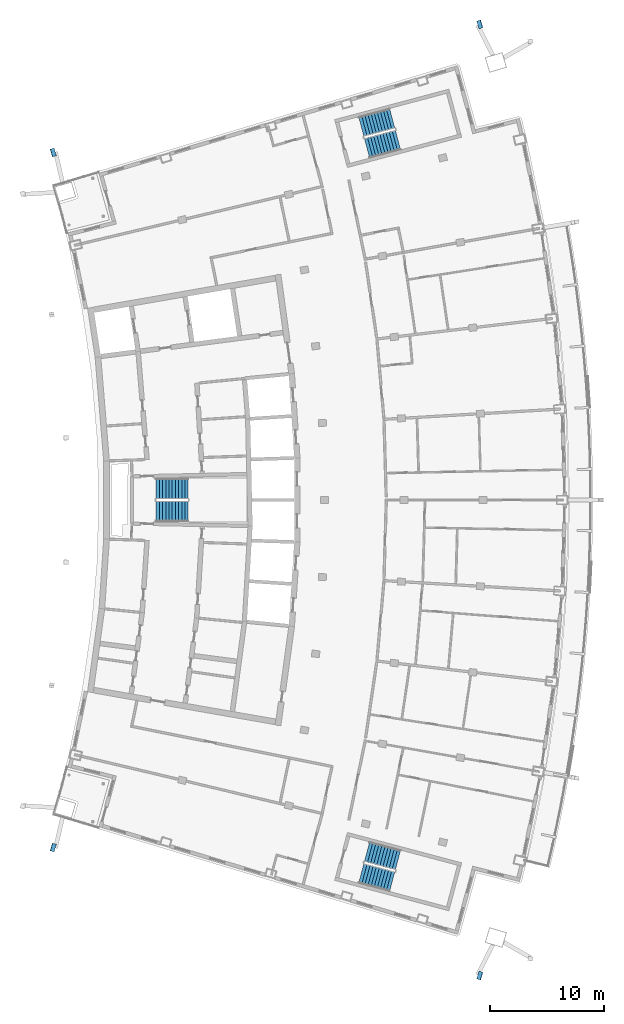
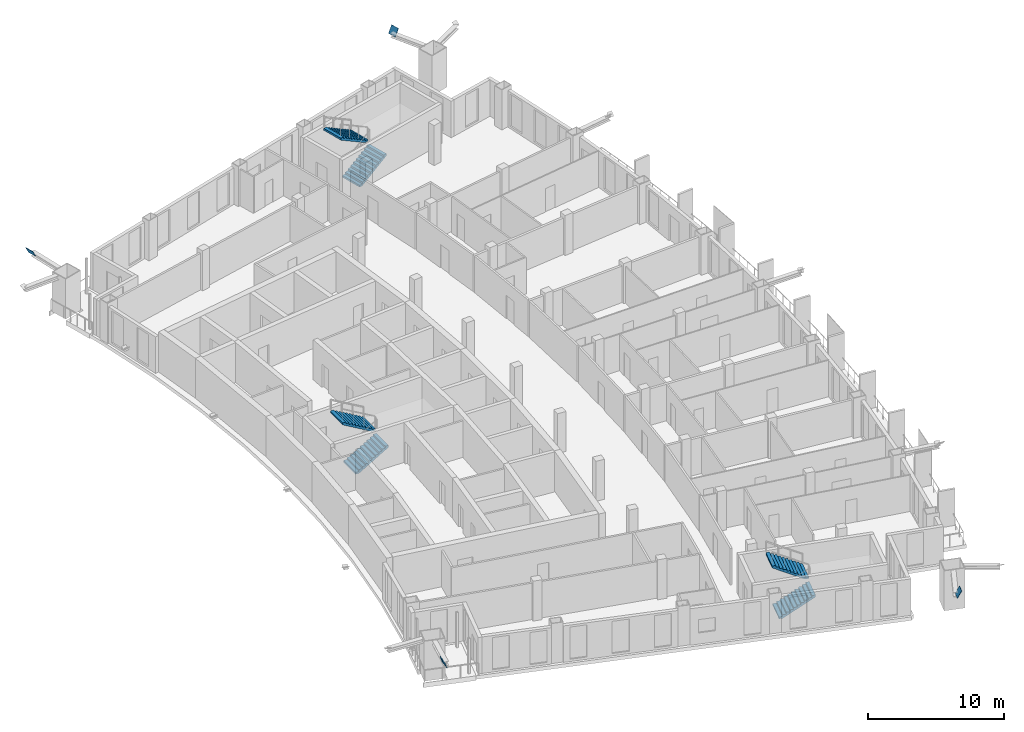
# One storey, part 14 of 20: 6 stair flights, 4 discrete accessories, 3 elements without a shape of their own.
"""IFC4 building model written with IfcOpenShell, lengths in metres."""

import ifcopenshell
import ifcopenshell.guid

model = None  # the IFC model being written
_history = None  # IfcOwnerHistory: only IFC2X3 demands one
_inside = {}  # id of a spatial element -> (the spatial element, [elements in it])
_under = {}  # id of a project, library or spatial element -> (it, [spatial elements below it])
_declared = {}  # id of a project -> (the project, [libraries it declares])
_typed = {}  # id of a type object -> (the type object, [elements of that type])
_made_of = {}  # id of a material, layer set ... -> (it, [elements and type objects made of it])


def new_model(schema):
    """Start an empty IFC model of exactly this schema.

    Asked for "IFC4X3", IfcOpenShell would pick the latest addendum, in which some entities
    have other attributes; the version numbers below select the first issue.
    IFC2X3 requires an IfcOwnerHistory on every rooted entity: one is made here for all.
    """
    global model, _history
    if schema == "IFC4X3":
        model = ifcopenshell.file(schema_version=(4, 3, 0, 0))
    else:
        model = ifcopenshell.file(schema=schema)
    _inside.clear()
    _under.clear()
    _declared.clear()
    _typed.clear()
    _made_of.clear()
    _history = None
    if model.schema == "IFC2X3":
        org = make("IfcOrganization", Name="unknown")
        user = make(
            "IfcPersonAndOrganization",
            ThePerson=make("IfcPerson", FamilyName="unknown"),
            TheOrganization=org,
        )
        app = make(
            "IfcApplication",
            ApplicationDeveloper=org,
            Version="unknown",
            ApplicationFullName="unknown",
            ApplicationIdentifier="unknown",
        )
        _history = make(
            "IfcOwnerHistory",
            OwningUser=user,
            OwningApplication=app,
            ChangeAction="ADDED",
            CreationDate=0,
        )
    return model


def make(cls, **values):
    """One entity of the class cls with the attributes given. An attribute that is None is left unset."""
    return model.create_entity(
        cls, **{name: value for name, value in values.items() if value is not None}
    )


def rooted(cls, **values):
    """An entity with a GlobalId (a new one), such as an element, a storey or a relation."""
    return make(cls, GlobalId=ifcopenshell.guid.new(), OwnerHistory=_history, **values)


def si_unit(unit_type, name, prefix=None):
    """IfcSIUnit, for example si_unit("LENGTHUNIT", "METRE", prefix="MILLI")."""
    return make("IfcSIUnit", UnitType=unit_type, Prefix=prefix, Name=name)


def assignment(units):
    """IfcUnitAssignment: the units of a project."""
    return None if units is None else make("IfcUnitAssignment", Units=units)


def point(xyz):
    """IfcCartesianPoint."""
    return None if xyz is None else make("IfcCartesianPoint", Coordinates=xyz)


def direction(xyz):
    """IfcDirection."""
    return None if xyz is None else make("IfcDirection", DirectionRatios=xyz)


def frame(location, z_axis=None, x_axis=None):
    """IfcAxis2Placement3D, a coordinate frame: its origin and axes. An axis left out is left unset."""
    return make(
        "IfcAxis2Placement3D",
        Location=point(location),
        Axis=direction(z_axis),
        RefDirection=direction(x_axis),
    )


def frame_2d(location, x_axis=None):
    """IfcAxis2Placement2D, a coordinate frame in the plane: its origin and x axis."""
    return make(
        "IfcAxis2Placement2D", Location=point(location), RefDirection=direction(x_axis)
    )


def origin():
    """The frame at (0, 0, 0) with its axes left unset."""
    return frame((0.0, 0.0, 0.0))


def origin_2d():
    """The frame at (0, 0) in the plane with its x axis left unset."""
    return frame_2d((0.0, 0.0))


def place(relative_to, where):
    """IfcLocalPlacement: puts the frame where relative to a parent placement (None: the world)."""
    return make(
        "IfcLocalPlacement", PlacementRelTo=relative_to, RelativePlacement=where
    )


def context(
    kind, dimensions, precision=None, world=None, true_north=None, identifier=None
):
    """IfcGeometricRepresentationContext, for example the 3D "Model" context."""
    return make(
        "IfcGeometricRepresentationContext",
        ContextIdentifier=identifier,
        ContextType=kind,
        CoordinateSpaceDimension=dimensions,
        Precision=precision,
        WorldCoordinateSystem=world,
        TrueNorth=true_north,
    )


def subcontext(parent, identifier, kind, view, scale=None):
    """IfcGeometricRepresentationSubContext, for example "Body" below "Model"."""
    return make(
        "IfcGeometricRepresentationSubContext",
        ContextIdentifier=identifier,
        ContextType=kind,
        ParentContext=parent,
        TargetScale=scale,
        TargetView=view,
    )


def project(units=None, contexts=None):
    """IfcProject with its units and contexts."""
    return rooted(
        "IfcProject",
        Name="project",
        RepresentationContexts=contexts,
        UnitsInContext=assignment(units),
    )


def spatial(cls, under=None, at=None, **own):
    """A site, building, storey or space (cls), placed at a placement, below another one or the project."""
    s = rooted(cls, ObjectPlacement=at, **own)
    if under is not None:
        _under.setdefault(under.id(), (under, []))[1].append(s)
    return s


def polyline(points):
    """IfcPolyline through the points."""
    return make("IfcPolyline", Points=[point(p) for p in points])


def profile(cls, at=None, kind="AREA", **sizes):
    """A parametric profile (cls). Its sizes go by their IFC names, for example OverallWidth=200.0."""
    return make(cls, ProfileType=kind, Position=at, **sizes)


def rectangle(**sizes):
    """IfcRectangleProfileDef."""
    return profile("IfcRectangleProfileDef", **sizes)


def outline(outer, holes=None, kind="AREA"):
    """IfcArbitraryClosedProfileDef: a profile drawn as a closed curve; with holes, ...WithVoids."""
    if holes is None:
        return make("IfcArbitraryClosedProfileDef", ProfileType=kind, OuterCurve=outer)
    return make(
        "IfcArbitraryProfileDefWithVoids",
        ProfileType=kind,
        OuterCurve=outer,
        InnerCurves=holes,
    )


def extrude(swept, where, along, depth):
    """IfcExtrudedAreaSolid: the profile swept, set in the frame where, extruded along a direction by depth."""
    return make(
        "IfcExtrudedAreaSolid",
        SweptArea=swept,
        Position=where,
        ExtrudedDirection=direction(along),
        Depth=depth,
    )


def shape(context_of_items, identifier, shape_type, items):
    """IfcShapeRepresentation: the items that make up one representation, for example the "Body"."""
    return make(
        "IfcShapeRepresentation",
        ContextOfItems=context_of_items,
        RepresentationIdentifier=identifier,
        RepresentationType=shape_type,
        Items=items,
    )


def material(Name=None, Category=None):
    """IfcMaterial."""
    return make("IfcMaterial", Name=Name, Category=Category)


def layer(
    of_material, thickness, ventilated=None, Name=None, Category=None, Priority=None
):
    """IfcMaterialLayer: one layer of a wall or slab, of a material (None: an air gap)."""
    return make(
        "IfcMaterialLayer",
        Material=of_material,
        LayerThickness=thickness,
        IsVentilated=ventilated,
        Name=Name,
        Category=Category,
        Priority=Priority,
    )


def layer_set(layers, Name=None):
    """IfcMaterialLayerSet."""
    return make("IfcMaterialLayerSet", MaterialLayers=layers, LayerSetName=Name)


def material_profile(
    of_material, cross_section, Name=None, Category=None, Priority=None
):
    """IfcMaterialProfile: a cross section and its material."""
    return make(
        "IfcMaterialProfile",
        Name=Name,
        Material=of_material,
        Profile=cross_section,
        Priority=Priority,
        Category=Category,
    )


def profile_set(profiles, Name=None, composite=None):
    """IfcMaterialProfileSet."""
    return make(
        "IfcMaterialProfileSet",
        Name=Name,
        MaterialProfiles=profiles,
        CompositeProfile=composite,
    )


def made_of(thing, what):
    """Note that an element or type object is made of a material, layer set ...; save() writes the relation."""
    if what is not None:
        _made_of.setdefault(what.id(), (what, []))[1].append(thing)
    return thing


def type_object(cls, material=None, **own):
    """A type object (cls), such as IfcWallType, which elements share."""
    return made_of(rooted(cls, **own), material)


def element(
    cls,
    number,
    at=None,
    inside=None,
    cuts=None,
    type_object=None,
    material=None,
    context=None,
    identifier="Body",
    shape_type=None,
    held_by="IfcProductDefinitionShape",
    body=None,
    shapes=None,
    **own,
):
    """One element of the class cls, such as IfcWall. Its Tag is "e" and its number.

    at: its placement. inside: the storey or other place that contains it. cuts: it is an
    opening in that element (IfcRelVoidsElement). A single representation is given by context,
    identifier, shape_type and body (its items); several are given by shapes. held_by: the class
    of the entity that holds the representations. save() writes the other relations.
    """
    e = rooted(cls, Tag="e%d" % number, ObjectPlacement=at, **own)
    if body is not None:
        shapes = [shape(context, identifier, shape_type, body)]
    if shapes is not None:
        e.Representation = make(held_by, Representations=shapes)
    if inside is not None:
        _inside.setdefault(inside.id(), (inside, []))[1].append(e)
    if cuts is not None:
        rooted(
            "IfcRelVoidsElement", RelatingBuildingElement=cuts, RelatedOpeningElement=e
        )
    if type_object is not None:
        _typed.setdefault(type_object.id(), (type_object, []))[1].append(e)
    return made_of(e, material)


def aggregate(whole, parts):
    """IfcRelAggregates: a whole, such as a stair, and the parts it consists of."""
    return rooted("IfcRelAggregates", RelatingObject=whole, RelatedObjects=parts)


def save(model, path):
    """Write the relations noted so far, then the file.

    IfcRelAggregates (storeys below a building ...), IfcRelContainedInSpatialStructure (elements
    in a storey), IfcRelDefinesByType, IfcRelAssociatesMaterial and IfcRelDeclares: one each for
    every whole, place, type object, material and project.
    """
    for whole, parts in _under.values():
        aggregate(whole, parts)
    for where, things in _inside.values():
        rooted(
            "IfcRelContainedInSpatialStructure",
            RelatedElements=things,
            RelatingStructure=where,
        )
    for kind, things in _typed.values():
        rooted("IfcRelDefinesByType", RelatedObjects=things, RelatingType=kind)
    for what, things in _made_of.values():
        rooted("IfcRelAssociatesMaterial", RelatedObjects=things, RelatingMaterial=what)
    for by, libraries in _declared.values():
        rooted("IfcRelDeclares", RelatingContext=by, RelatedDefinitions=libraries)
    model.write(path)


model = new_model("IFC4")

# Units and contexts
model_context = context("Model", 3, precision=1e-05, world=origin(), true_north=direction((0.0, 1.0)))
body_context = subcontext(model_context, "Body", "Model", "MODEL_VIEW")
ifc_project = project(units=[si_unit("LENGTHUNIT", "METRE"), si_unit("AREAUNIT", "SQUARE_METRE"), si_unit("VOLUMEUNIT", "CUBIC_METRE"), si_unit("PLANEANGLEUNIT", "RADIAN"), si_unit("MASSUNIT", "GRAM", prefix="KILO")], contexts=[model_context])

# Site, building, storey
site_placement = place(None, origin())
site = spatial("IfcSite", under=ifc_project, at=site_placement, CompositionType="ELEMENT")
building_placement = place(site_placement, origin())
building = spatial("IfcBuilding", under=site, at=building_placement, Name="Alderwake Tower", CompositionType="ELEMENT")
storey_placement = place(building_placement, frame((0.0, 0.0, 263.60009765625)))
storey = spatial("IfcBuildingStorey", under=building, at=storey_placement, Name="L65", CompositionType="ELEMENT", Elevation=263.60009765625)

# Stair, stair flights
ifc_material_1 = material(Name="Concrete C40/50", Category="concrete")
stair_type = type_object("IfcStairType", Name="Core exit stair", PredefinedType="HALF_TURN_STAIR", material=ifc_material_1)
stair_1_placement = place(storey_placement, origin())
stair_1 = element("IfcStair", 1, at=stair_1_placement, inside=storey, type_object=stair_type, Name="L65 Exit Stair B", PredefinedType="HALF_TURN_STAIR")
ifc_material_2 = material(Name="Concrete C40/50", Category="concrete")
ifc_layer = layer(ifc_material_2, 0.14990234375)
ifc_layer_set = layer_set([ifc_layer], Name="Core stair flight")
stair_flight_type = type_object("IfcStairFlightType", Name="Core stair flight", PredefinedType="STRAIGHT", material=ifc_layer_set)
stair_flight_1_placement = place(storey_placement, frame((21.0400390625, 60.02490234375, 0.0), z_axis=(0.0, 0.0, 1.0), x_axis=(1.0, 0.0, 0.0)))
stair_flight_1 = element("IfcStairFlight", 2, at=stair_flight_1_placement, type_object=stair_flight_type, Name="ST-B flight 1", NumberOfRisers=11, NumberOfTreads=10, PredefinedType="STRAIGHT", RiserHeight=0.163636364, TreadLength=0.28, context=body_context, shape_type="SweptSolid", body=[
    extrude(outline(polyline([(0.0, 0.0), (0.0, 0.16357421875), (0.280029296875, 0.16357421875), (0.280029296875, 0.327392578125), (0.56005859375, 0.327392578125), (0.56005859375, 0.490966796875), (0.840087890625, 0.490966796875), (0.840087890625, 0.654541015625), (1.1201171875, 0.654541015625), (1.1201171875, 0.818115234375), (1.39990234375, 0.818115234375), (1.39990234375, 0.98193359375), (1.679931640625, 0.98193359375), (1.679931640625, 1.1455078125), (1.9599609375, 1.1455078125), (1.9599609375, 1.30908203125), (2.239990234375, 1.30908203125), (2.239990234375, 1.47265625), (2.52001953125, 1.47265625), (2.52001953125, 1.636474609375), (2.800048828125, 1.636474609375), (2.800048828125, 1.800048828125), (2.800048828125, 1.462646484375), (0.297119140625, 0.0), (0.0, 0.0)])), frame((0.0, 0.89990234375, 0.0), z_axis=(0.0, -1.0, 0.0), x_axis=(1.0, 0.0, 0.0)), (0.0, 0.0, 1.0), 1.800048828125),
])
stair_flight_2_placement = place(storey_placement, frame((23.840087890625, 61.97509765625, 1.7998046875), z_axis=(0.0, 0.0, 1.0), x_axis=(-1.0, 0.0, 0.0)))
stair_flight_2 = element("IfcStairFlight", 3, at=stair_flight_2_placement, type_object=stair_flight_type, Name="ST-B flight 2", NumberOfRisers=11, NumberOfTreads=10, PredefinedType="STRAIGHT", RiserHeight=0.163636364, TreadLength=0.28, context=body_context, shape_type="SweptSolid", body=[
    extrude(outline(polyline([(0.0, 0.0), (0.0, 0.16357421875), (0.280029296875, 0.16357421875), (0.280029296875, 0.327392578125), (0.56005859375, 0.327392578125), (0.56005859375, 0.490966796875), (0.840087890625, 0.490966796875), (0.840087890625, 0.654541015625), (1.1201171875, 0.654541015625), (1.1201171875, 0.818115234375), (1.39990234375, 0.818115234375), (1.39990234375, 0.98193359375), (1.679931640625, 0.98193359375), (1.679931640625, 1.1455078125), (1.9599609375, 1.1455078125), (1.9599609375, 1.30908203125), (2.239990234375, 1.30908203125), (2.239990234375, 1.47265625), (2.52001953125, 1.47265625), (2.52001953125, 1.636474609375), (2.800048828125, 1.636474609375), (2.800048828125, 1.800048828125), (2.800048828125, 1.462646484375), (0.297119140625, 0.0), (0.0, 0.0)])), frame((0.0, 0.89990234375, 0.0), z_axis=(0.0, -1.0, 0.0), x_axis=(1.0, 0.0, 0.0)), (0.0, 0.0, 1.0), 1.800048828125),
])
aggregate(stair_1, [stair_flight_1, stair_flight_2])

stair_2_placement = place(storey_placement, origin())
stair_2 = element("IfcStair", 4, at=stair_2_placement, inside=storey, type_object=stair_type, Name="L65 Exit Stair A", PredefinedType="HALF_TURN_STAIR")
stair_flight_3_placement = place(storey_placement, frame((39.512939453125, 91.823974609375, 0.0), z_axis=(0.0, 0.0, 1.0), x_axis=(0.966309627437, 0.257382407951, 0.0)))
stair_flight_3 = element("IfcStairFlight", 5, at=stair_flight_3_placement, type_object=stair_flight_type, Name="ST-A flight 1", NumberOfRisers=11, NumberOfTreads=10, PredefinedType="STRAIGHT", RiserHeight=0.163636364, TreadLength=0.28, context=body_context, shape_type="SweptSolid", body=[
    extrude(outline(polyline([(0.0, 0.0), (0.0, 0.16357421875), (0.280029296875, 0.16357421875), (0.280029296875, 0.327392578125), (0.56005859375, 0.327392578125), (0.56005859375, 0.490966796875), (0.840087890625, 0.490966796875), (0.840087890625, 0.654541015625), (1.1201171875, 0.654541015625), (1.1201171875, 0.818115234375), (1.39990234375, 0.818115234375), (1.39990234375, 0.98193359375), (1.679931640625, 0.98193359375), (1.679931640625, 1.1455078125), (1.9599609375, 1.1455078125), (1.9599609375, 1.30908203125), (2.239990234375, 1.30908203125), (2.239990234375, 1.47265625), (2.52001953125, 1.47265625), (2.52001953125, 1.636474609375), (2.800048828125, 1.636474609375), (2.800048828125, 1.800048828125), (2.800048828125, 1.462646484375), (0.297119140625, 0.0), (0.0, 0.0)])), frame((0.0, 0.89990234375, 0.0), z_axis=(0.0, -1.0, 0.0), x_axis=(1.0, 0.0, 0.0)), (0.0, 0.0, 1.0), 1.800048828125),
])
stair_flight_4_placement = place(storey_placement, frame((41.716796875, 94.428955078125, 1.7998046875), z_axis=(0.0, 0.0, 1.0), x_axis=(-0.966309627437, -0.257382407951, 0.0)))
stair_flight_4 = element("IfcStairFlight", 6, at=stair_flight_4_placement, type_object=stair_flight_type, Name="ST-A flight 2", NumberOfRisers=11, NumberOfTreads=10, PredefinedType="STRAIGHT", RiserHeight=0.163636364, TreadLength=0.28, context=body_context, shape_type="SweptSolid", body=[
    extrude(outline(polyline([(0.0, 0.0), (0.0, 0.16357421875), (0.280029296875, 0.16357421875), (0.280029296875, 0.327392578125), (0.56005859375, 0.327392578125), (0.56005859375, 0.490966796875), (0.840087890625, 0.490966796875), (0.840087890625, 0.654541015625), (1.1201171875, 0.654541015625), (1.1201171875, 0.818115234375), (1.39990234375, 0.818115234375), (1.39990234375, 0.98193359375), (1.679931640625, 0.98193359375), (1.679931640625, 1.1455078125), (1.9599609375, 1.1455078125), (1.9599609375, 1.30908203125), (2.239990234375, 1.30908203125), (2.239990234375, 1.47265625), (2.52001953125, 1.47265625), (2.52001953125, 1.636474609375), (2.800048828125, 1.636474609375), (2.800048828125, 1.800048828125), (2.800048828125, 1.462646484375), (0.297119140625, 0.0), (0.0, 0.0)])), frame((0.0, 0.89990234375, 0.0), z_axis=(0.0, -1.0, 0.0), x_axis=(1.0, 0.0, 0.0)), (0.0, 0.0, 1.0), 1.800048828125),
])
aggregate(stair_2, [stair_flight_3, stair_flight_4])

stair_3_placement = place(storey_placement, origin())
stair_3 = element("IfcStair", 7, at=stair_3_placement, inside=storey, type_object=stair_type, Name="L65 Exit Stair C", PredefinedType="HALF_TURN_STAIR")
stair_flight_5_placement = place(storey_placement, frame((39.010986328125, 28.291748046875, 0.0), z_axis=(0.0, 0.0, 1.0), x_axis=(0.966309627437, -0.257382407951, 0.0)))
stair_flight_5 = element("IfcStairFlight", 8, at=stair_flight_5_placement, type_object=stair_flight_type, Name="ST-C flight 1", NumberOfRisers=11, NumberOfTreads=10, PredefinedType="STRAIGHT", RiserHeight=0.163636364, TreadLength=0.28, context=body_context, shape_type="SweptSolid", body=[
    extrude(outline(polyline([(0.0, 0.0), (0.0, 0.16357421875), (0.280029296875, 0.16357421875), (0.280029296875, 0.327392578125), (0.56005859375, 0.327392578125), (0.56005859375, 0.490966796875), (0.840087890625, 0.490966796875), (0.840087890625, 0.654541015625), (1.1201171875, 0.654541015625), (1.1201171875, 0.818115234375), (1.39990234375, 0.818115234375), (1.39990234375, 0.98193359375), (1.679931640625, 0.98193359375), (1.679931640625, 1.1455078125), (1.9599609375, 1.1455078125), (1.9599609375, 1.30908203125), (2.239990234375, 1.30908203125), (2.239990234375, 1.47265625), (2.52001953125, 1.47265625), (2.52001953125, 1.636474609375), (2.800048828125, 1.636474609375), (2.800048828125, 1.800048828125), (2.800048828125, 1.462646484375), (0.297119140625, 0.0), (0.0, 0.0)])), frame((0.0, 0.89990234375, 0.0), z_axis=(0.0, -1.0, 0.0), x_axis=(1.0, 0.0, 0.0)), (0.0, 0.0, 1.0), 1.800048828125),
])
stair_flight_6_placement = place(storey_placement, frame((42.218505859375, 29.455322265625, 1.7998046875), z_axis=(0.0, 0.0, 1.0), x_axis=(-0.966309627437, 0.257382407951, 0.0)))
stair_flight_6 = element("IfcStairFlight", 9, at=stair_flight_6_placement, type_object=stair_flight_type, Name="ST-C flight 2", NumberOfRisers=11, NumberOfTreads=10, PredefinedType="STRAIGHT", RiserHeight=0.163636364, TreadLength=0.28, context=body_context, shape_type="SweptSolid", body=[
    extrude(outline(polyline([(0.0, 0.0), (0.0, 0.16357421875), (0.280029296875, 0.16357421875), (0.280029296875, 0.327392578125), (0.56005859375, 0.327392578125), (0.56005859375, 0.490966796875), (0.840087890625, 0.490966796875), (0.840087890625, 0.654541015625), (1.1201171875, 0.654541015625), (1.1201171875, 0.818115234375), (1.39990234375, 0.818115234375), (1.39990234375, 0.98193359375), (1.679931640625, 0.98193359375), (1.679931640625, 1.1455078125), (1.9599609375, 1.1455078125), (1.9599609375, 1.30908203125), (2.239990234375, 1.30908203125), (2.239990234375, 1.47265625), (2.52001953125, 1.47265625), (2.52001953125, 1.636474609375), (2.800048828125, 1.636474609375), (2.800048828125, 1.800048828125), (2.800048828125, 1.462646484375), (0.297119140625, 0.0), (0.0, 0.0)])), frame((0.0, 0.89990234375, 0.0), z_axis=(0.0, -1.0, 0.0), x_axis=(1.0, 0.0, 0.0)), (0.0, 0.0, 1.0), 1.800048828125),
])
aggregate(stair_3, [stair_flight_5, stair_flight_6])

# Discrete accessories
ifc_material_3 = material(Name="Steel ASTM A572 Grade 50", Category="steel")
ifc_material_profile = material_profile(ifc_material_3, rectangle(XDim=0.699951171875, YDim=0.699951171875, at=origin_2d()), Name="BOX 700X700X45 cap")
ifc_profile_set = profile_set([ifc_material_profile], Name="Steel ASTM A572 Grade 50")
discrete_accessory_type = type_object("IfcDiscreteAccessoryType", Name="End cap plate BOX 700X700X45", PredefinedType="USERDEFINED", material=ifc_profile_set)
discrete_accessory_1_placement = place(storey_placement, frame((12.031005859375, 30.550537109375, 3.599853515625), z_axis=(-0.833799847145, 0.253409757466, -0.49047049832), x_axis=(-0.290788330333, -0.956787409482, 0.0)))
element("IfcDiscreteAccessory", 10, at=discrete_accessory_1_placement, inside=storey, type_object=discrete_accessory_type, Name="End cap BRS5.2.0A S", ObjectType="END CAP", PredefinedType="USERDEFINED", context=body_context, shape_type="SweptSolid", body=[
    extrude(rectangle(XDim=0.699951171875, YDim=0.699951171875, at=origin_2d()), origin(), (0.0, 0.0, 1.0), 0.02978515625),
])
discrete_accessory_2_placement = place(storey_placement, frame((49.384033203125, 19.336181640625, 3.599853515625), z_axis=(0.839565428242, -0.252684740539, -0.48091611909), x_axis=(0.288200688743, 0.957570030341, 0.0)))
element("IfcDiscreteAccessory", 11, at=discrete_accessory_2_placement, inside=storey, type_object=discrete_accessory_type, Name="End cap BRS5.2.0B1 S", ObjectType="END CAP", PredefinedType="USERDEFINED", context=body_context, shape_type="SweptSolid", body=[
    extrude(rectangle(XDim=0.699951171875, YDim=0.699951171875, at=origin_2d()), origin(), (0.0, 0.0, 1.0), 0.030029296875),
])
discrete_accessory_3_placement = place(storey_placement, frame((12.031005859375, 91.449462890625, 3.599853515625), z_axis=(-0.833799847145, -0.253409757466, -0.49047049832), x_axis=(0.290788330333, -0.956787409482, 0.0)))
element("IfcDiscreteAccessory", 12, at=discrete_accessory_3_placement, inside=storey, type_object=discrete_accessory_type, Name="End cap BRN5.2.0A S", ObjectType="END CAP", PredefinedType="USERDEFINED", context=body_context, shape_type="SweptSolid", body=[
    extrude(rectangle(XDim=0.699951171875, YDim=0.699951171875, at=origin_2d()), origin(), (0.0, 0.0, 1.0), 0.02978515625),
])
discrete_accessory_4_placement = place(storey_placement, frame((49.384033203125, 102.663818359375, 3.599853515625), z_axis=(0.839565428242, 0.252684740539, -0.48091611909), x_axis=(-0.288200688743, 0.957570030341, 0.0)))
element("IfcDiscreteAccessory", 13, at=discrete_accessory_4_placement, inside=storey, type_object=discrete_accessory_type, Name="End cap BRN5.2.0B1 S", ObjectType="END CAP", PredefinedType="USERDEFINED", context=body_context, shape_type="SweptSolid", body=[
    extrude(rectangle(XDim=0.699951171875, YDim=0.699951171875, at=origin_2d()), origin(), (0.0, 0.0, 1.0), 0.030029296875),
])

save(model, "model.ifc")
